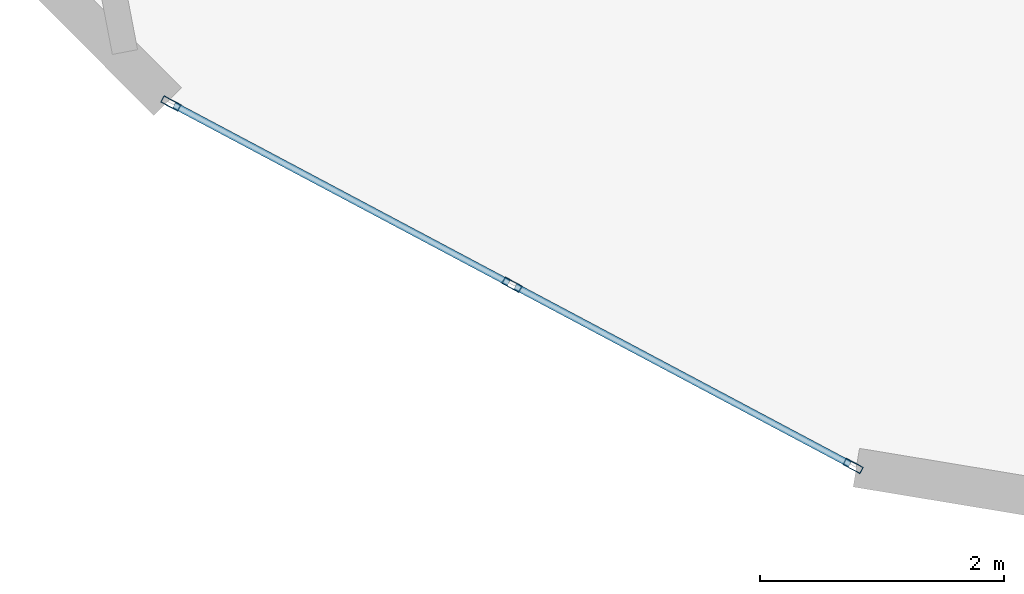
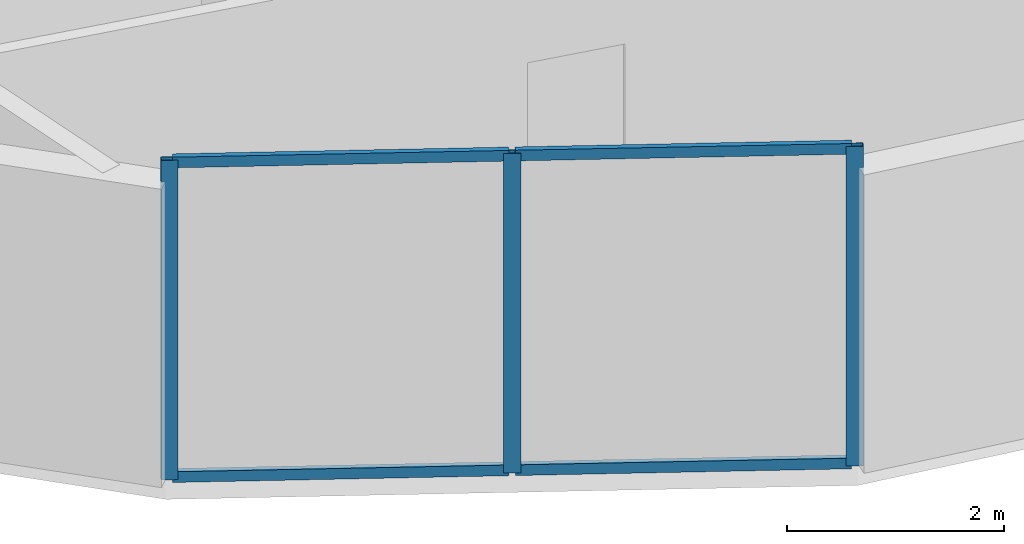
# One storey, part 2 of 21: 7 members, 1 element without a shape of its own.
"""IFC4 building model written with IfcOpenShell, lengths in metres."""

from ifc_helpers import new_model, si_unit, direction, frame, origin, origin_2d, place, context, subcontext, project, spatial, hollow_rectangle, extrude, source, transform, mapped, material, layer, layer_set, material_profile, profile_set, type_object, element, aggregate, save


model = new_model("IFC4")

# Units and contexts
model_context = context("Model", 3, precision=1e-05, world=origin(), true_north=direction((0.0, 1.0)))
body_context = subcontext(model_context, "Body", "Model", "MODEL_VIEW")
ifc_project = project(units=[si_unit("LENGTHUNIT", "METRE"), si_unit("AREAUNIT", "SQUARE_METRE"), si_unit("VOLUMEUNIT", "CUBIC_METRE"), si_unit("PLANEANGLEUNIT", "RADIAN"), si_unit("MASSUNIT", "GRAM", prefix="KILO")], contexts=[model_context])

# Site, building, storey
site_placement = place(None, origin())
site = spatial("IfcSite", under=ifc_project, at=site_placement, CompositionType="ELEMENT")
building_placement = place(site_placement, origin())
building = spatial("IfcBuilding", under=site, at=building_placement, Name="Solvirekh Grand Hotel", CompositionType="ELEMENT")
storey_placement = place(building_placement, frame((0.0, 0.0, 216.39990234375)))
storey = spatial("IfcBuildingStorey", under=building, at=storey_placement, Name="L56", CompositionType="ELEMENT", Elevation=216.39990234375)

# Curtain wall, members
ifc_material = material(Name="Anodized Bronze Aluminium 6063-T6", Category="aluminium")
ifc_layer = layer(ifc_material, 0.159912109375)
ifc_layer_set = layer_set([ifc_layer], Name="Anodized Bronze Aluminium 6063-T6")
curtain_wall_type = type_object("IfcCurtainWallType", Name="CW_Sys4_HighZoneFlushBronzeCW", PredefinedType="NOTDEFINED", material=ifc_layer_set)
curtain_wall_placement = place(storey_placement, origin())
curtain_wall = element("IfcCurtainWall", 1, at=curtain_wall_placement, inside=storey, type_object=curtain_wall_type, Name="L56 unitised bronze-glass curtain wall CW-L56-C18", PredefinedType="NOTDEFINED")
ifc_material_profile_1 = material_profile(ifc_material, hollow_rectangle(XDim=0.06005859375, YDim=0.159912109375, WallThickness=0.0048828125, at=origin_2d()), Name="ALU RHS 160X60X5")
ifc_profile_set_1 = profile_set([ifc_material_profile_1], Name="Anodized Bronze Aluminium 6063-T6")
member_type_1 = type_object("IfcMemberType", Name="CWMullion_Sys4", PredefinedType="MULLION", material=ifc_profile_set_1)
shared_shape_1 = source(origin(), body_context, "Body", "SweptSolid", [
    extrude(hollow_rectangle(XDim=0.06005859375, YDim=0.159912109375, WallThickness=0.0048828125, at=origin_2d()), origin(), (0.0, 0.0, 1.0), 3.60009765625),
])
member_1_placement = place(storey_placement, frame((-10.928466796875, -17.43701171875, 0.0), z_axis=(0.0, 0.0, 1.0), x_axis=(0.469239144829, 0.883071132447, 0.0)))
member_1 = element("IfcMember", 2, at=member_1_placement, type_object=member_type_1, Name="U04 mullion 1", PredefinedType="MULLION", context=body_context, shape_type="MappedRepresentation", body=[
    mapped(shared_shape_1, transform((0.0, 0.0, 0.0), x_axis=(1.0, 0.0, 0.0), y_axis=(0.0, 1.0, 0.0), z_axis=(0.0, 0.0, 1.0), scale=1.0)),
])
member_2_placement = place(storey_placement, frame((-8.134033203125, -18.922119140625, 0.0), z_axis=(0.0, 0.0, 1.0), x_axis=(0.469239144829, 0.883071132447, 0.0)))
member_2 = element("IfcMember", 3, at=member_2_placement, type_object=member_type_1, Name="U04 mullion 2", PredefinedType="MULLION", context=body_context, shape_type="MappedRepresentation", body=[
    mapped(shared_shape_1, transform((0.0, 0.0, 0.0), x_axis=(1.0, 0.0, 0.0), y_axis=(0.0, 1.0, 0.0), z_axis=(0.0, 0.0, 1.0), scale=1.0)),
])
member_3_placement = place(storey_placement, frame((-5.339599609375, -20.406982421875, 0.0), z_axis=(0.0, 0.0, 1.0), x_axis=(0.469239144829, 0.883071132447, 0.0)))
member_3 = element("IfcMember", 4, at=member_3_placement, type_object=member_type_1, Name="U04 mullion 3", PredefinedType="MULLION", context=body_context, shape_type="MappedRepresentation", body=[
    mapped(shared_shape_1, transform((0.0, 0.0, 0.0), x_axis=(1.0, 0.0, 0.0), y_axis=(0.0, 1.0, 0.0), z_axis=(0.0, 0.0, 1.0), scale=1.0)),
])
ifc_material_profile_2 = material_profile(ifc_material, hollow_rectangle(XDim=0.054931640625, YDim=0.1201171875, WallThickness=0.00390625, at=origin_2d()), Name="ALU RHS 120X55X4")
ifc_profile_set_2 = profile_set([ifc_material_profile_2], Name="Anodized Bronze Aluminium 6063-T6")
member_type_2 = type_object("IfcMemberType", Name="CWTransom_Sys4", PredefinedType="USERDEFINED", material=ifc_profile_set_2)
shared_shape_2 = source(origin(), body_context, "Body", "SweptSolid", [
    extrude(hollow_rectangle(XDim=0.054931640625, YDim=0.1201171875, WallThickness=0.00390625, at=origin_2d()), origin(), (0.0, 0.0, 1.0), 3.1044921875),
])
member_4_placement = place(storey_placement, frame((-8.107421875, -18.93603515625, 0.027587890625), z_axis=(0.883063785597, -0.46925297076, 0.0), x_axis=(0.46925297076, 0.883063785597, 0.0)))
member_4 = element("IfcMember", 5, at=member_4_placement, type_object=member_type_2, Name="U04 transom 2.1", ObjectType="TRANSOM", PredefinedType="USERDEFINED", context=body_context, shape_type="MappedRepresentation", body=[
    mapped(shared_shape_2, transform((0.0, 0.0, 0.0), x_axis=(1.0, 0.0, 0.0), y_axis=(0.0, 1.0, 0.0), z_axis=(0.0, 0.0, 1.0), scale=1.0)),
])
member_5_placement = place(storey_placement, frame((-8.107421875, -18.93603515625, 3.572509765625), z_axis=(0.883063785597, -0.46925297076, 0.0), x_axis=(0.46925297076, 0.883063785597, 0.0)))
member_5 = element("IfcMember", 6, at=member_5_placement, type_object=member_type_2, Name="U04 transom 2.2", ObjectType="TRANSOM", PredefinedType="USERDEFINED", context=body_context, shape_type="MappedRepresentation", body=[
    mapped(shared_shape_2, transform((0.0, 0.0, 0.0), x_axis=(1.0, 0.0, 0.0), y_axis=(0.0, 1.0, 0.0), z_axis=(0.0, 0.0, 1.0), scale=1.0)),
])
shared_shape_3 = source(origin(), body_context, "Body", "SweptSolid", [
    extrude(hollow_rectangle(XDim=0.054931640625, YDim=0.1201171875, WallThickness=0.00390625, at=origin_2d()), origin(), (0.0, 0.0, 1.0), 3.104736328125),
])
member_6_placement = place(storey_placement, frame((-10.902099609375, -17.451171875, 0.027587890625), z_axis=(0.88308110049, -0.469220385274, 0.0), x_axis=(0.469220385274, 0.88308110049, 0.0)))
member_6 = element("IfcMember", 7, at=member_6_placement, type_object=member_type_2, Name="U04 transom 1.1", ObjectType="TRANSOM", PredefinedType="USERDEFINED", context=body_context, shape_type="MappedRepresentation", body=[
    mapped(shared_shape_3, transform((0.0, 0.0, 0.0), x_axis=(1.0, 0.0, 0.0), y_axis=(0.0, 1.0, 0.0), z_axis=(0.0, 0.0, 1.0), scale=1.0)),
])
member_7_placement = place(storey_placement, frame((-10.902099609375, -17.451171875, 3.572509765625), z_axis=(0.88308110049, -0.469220385274, 0.0), x_axis=(0.469220385274, 0.88308110049, 0.0)))
member_7 = element("IfcMember", 8, at=member_7_placement, type_object=member_type_2, Name="U04 transom 1.2", ObjectType="TRANSOM", PredefinedType="USERDEFINED", context=body_context, shape_type="MappedRepresentation", body=[
    mapped(shared_shape_3, transform((0.0, 0.0, 0.0), x_axis=(1.0, 0.0, 0.0), y_axis=(0.0, 1.0, 0.0), z_axis=(0.0, 0.0, 1.0), scale=1.0)),
])
aggregate(curtain_wall, [member_1, member_2, member_3, member_6, member_7, member_4, member_5])

save(model, "model.ifc")
